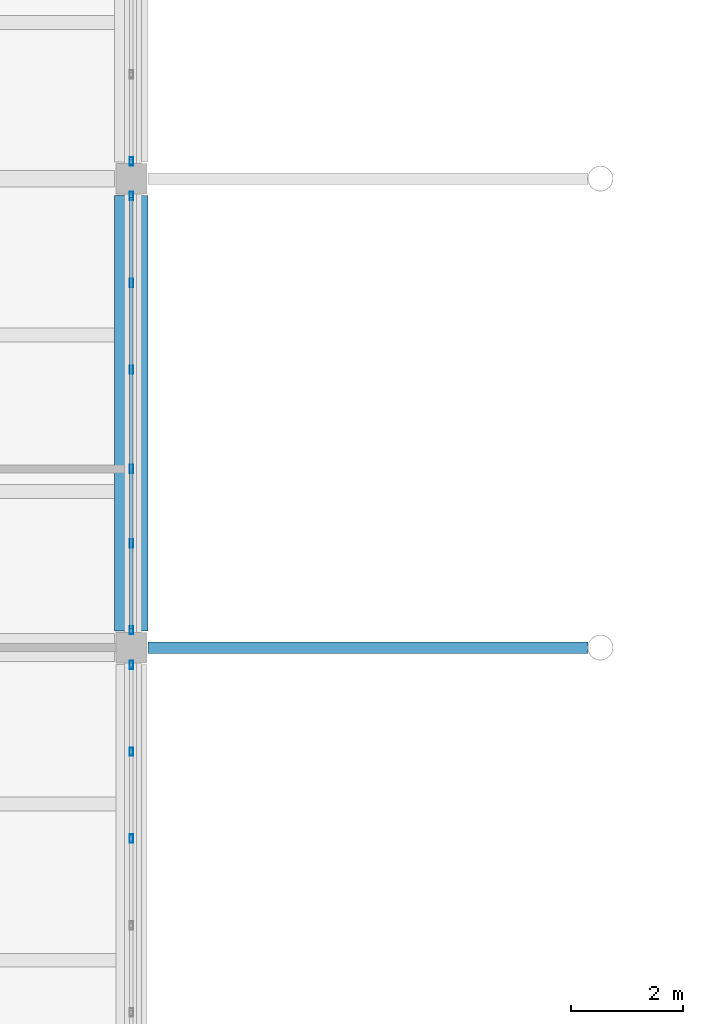
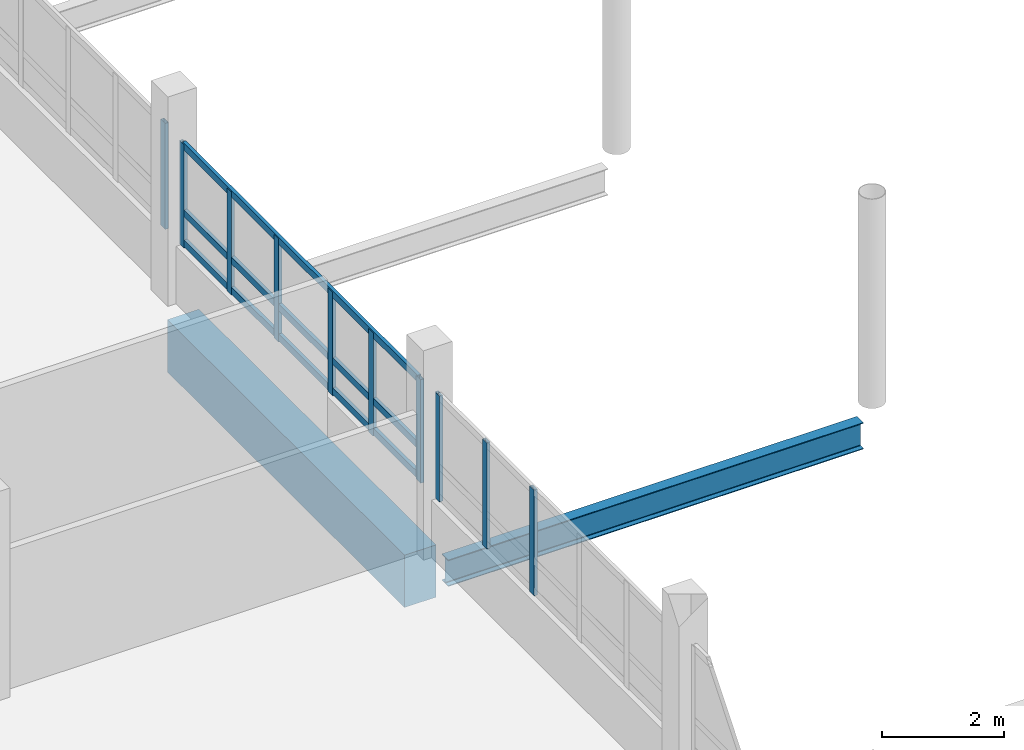
# One storey, part 40 of 130: 13 members, 2 beams, 3 elements without a shape of their own.
"""IFC4 building model written with IfcOpenShell, lengths in metres."""

from ifc_helpers import new_model, si_unit, direction, frame, origin, origin_2d, place, context, subcontext, project, spatial, rectangle, hollow_rectangle, i_section, extrude, material, layer, layer_set, material_profile, profile_set, type_object, element, aggregate, save


model = new_model("IFC4")

# Units and contexts
model_context = context("Model", 3, precision=1e-05, world=origin(), true_north=direction((0.0, 1.0)))
body_context = subcontext(model_context, "Body", "Model", "MODEL_VIEW")
ifc_project = project(units=[si_unit("LENGTHUNIT", "METRE"), si_unit("AREAUNIT", "SQUARE_METRE"), si_unit("VOLUMEUNIT", "CUBIC_METRE"), si_unit("PLANEANGLEUNIT", "RADIAN"), si_unit("MASSUNIT", "GRAM", prefix="KILO")], contexts=[model_context])

# Site, building, storey
site_placement = place(None, origin())
site = spatial("IfcSite", under=ifc_project, at=site_placement, CompositionType="ELEMENT")
building_placement = place(site_placement, origin())
building = spatial("IfcBuilding", under=site, at=building_placement, Name="Vireocrest Preparatory School", CompositionType="ELEMENT")
storey_placement = place(building_placement, frame((0.0, 0.0, 9.0)))
storey = spatial("IfcBuildingStorey", under=building, at=storey_placement, Name="L02", CompositionType="ELEMENT", Elevation=9.0)

# Curtain wall, members
ifc_material_1 = material(Name="Thermally broken aluminium EN AW-6063-T6", Category="aluminium")
ifc_layer = layer(ifc_material_1, 0.179931640625)
ifc_layer_set = layer_set([ifc_layer], Name="Thermally broken aluminium EN AW-6063-T6")
curtain_wall_type = type_object("IfcCurtainWallType", Name="Court Banded Curtain Wall 8400x3000", PredefinedType="USERDEFINED", material=ifc_layer_set)
curtain_wall_1_placement = place(storey_placement, origin())
curtain_wall_1 = element("IfcCurtainWall", 1, at=curtain_wall_1_placement, inside=storey, type_object=curtain_wall_type, Name="Curtain Wall CW02 CW_L02_CW02_0672_0524_102", ObjectType="CURTAIN WALL", PredefinedType="USERDEFINED")
ifc_material_profile_1 = material_profile(ifc_material_1, hollow_rectangle(XDim=0.06494140625, YDim=0.14990234375, WallThickness=0.00390625, at=origin_2d()), Name="ALU 65x150x4")
ifc_profile_set_1 = profile_set([ifc_material_profile_1], Name="Thermally broken aluminium EN AW-6063-T6")
member_type_1 = type_object("IfcMemberType", Name="CW Mullion 65x150x4", PredefinedType="MULLION", material=ifc_profile_set_1)
member_1_placement = place(storey_placement, frame((67.199951171875, 57.177978515625, 1.14990234375), z_axis=(0.0, 0.0, 1.0), x_axis=(1.0, 0.0, 0.0)))
member_1 = element("IfcMember", 2, at=member_1_placement, type_object=member_type_1, Name="CW Mullion ML1 CW_L02_CW02_0672_0524_102-4", PredefinedType="MULLION", context=body_context, shape_type="SweptSolid", body=[
    extrude(hollow_rectangle(XDim=0.06494140625, YDim=0.14990234375, WallThickness=0.00390625, at=origin_2d()), origin(), (0.0, 0.0, 1.0), 2.125),
])
member_2_placement = place(storey_placement, frame((67.199951171875, 58.73388671875, 1.14990234375), z_axis=(0.0, 0.0, 1.0), x_axis=(1.0, 0.0, 0.0)))
member_2 = element("IfcMember", 3, at=member_2_placement, type_object=member_type_1, Name="CW Mullion ML1 CW_L02_CW02_0672_0524_102-5", PredefinedType="MULLION", context=body_context, shape_type="SweptSolid", body=[
    extrude(hollow_rectangle(XDim=0.06494140625, YDim=0.14990234375, WallThickness=0.00390625, at=origin_2d()), origin(), (0.0, 0.0, 1.0), 2.125),
])
member_3_placement = place(storey_placement, frame((67.199951171875, 60.2900390625, 1.14990234375), z_axis=(0.0, 0.0, 1.0), x_axis=(1.0, 0.0, 0.0)))
member_3 = element("IfcMember", 4, at=member_3_placement, type_object=member_type_1, Name="CW Mullion ML1 CW_L02_CW02_0672_0524_102-6", PredefinedType="MULLION", context=body_context, shape_type="SweptSolid", body=[
    extrude(hollow_rectangle(XDim=0.06494140625, YDim=0.14990234375, WallThickness=0.00390625, at=origin_2d()), origin(), (0.0, 0.0, 1.0), 2.125),
])
aggregate(curtain_wall_1, [member_1, member_2, member_3])

curtain_wall_2_placement = place(storey_placement, origin())
curtain_wall_2 = element("IfcCurtainWall", 5, at=curtain_wall_2_placement, inside=storey, type_object=curtain_wall_type, Name="Curtain Wall CW02 CW_L02_CW02_0672_0608_102", ObjectType="CURTAIN WALL", PredefinedType="USERDEFINED")
member_4_placement = place(storey_placement, frame((67.199951171875, 60.909912109375, 1.14990234375), z_axis=(0.0, 0.0, 1.0), x_axis=(1.0, 0.0, 0.0)))
member_4 = element("IfcMember", 6, at=member_4_placement, type_object=member_type_1, Name="CW Mullion ML1 CW_L02_CW02_0672_0608_102-1", PredefinedType="MULLION", context=body_context, shape_type="SweptSolid", body=[
    extrude(hollow_rectangle(XDim=0.06494140625, YDim=0.14990234375, WallThickness=0.00390625, at=origin_2d()), origin(), (0.0, 0.0, 1.0), 2.0751953125),
])
member_5_placement = place(storey_placement, frame((67.199951171875, 62.466064453125, 1.14990234375), z_axis=(0.0, 0.0, 1.0), x_axis=(1.0, 0.0, 0.0)))
member_5 = element("IfcMember", 7, at=member_5_placement, type_object=member_type_1, Name="CW Mullion ML1 CW_L02_CW02_0672_0608_102-2", PredefinedType="MULLION", context=body_context, shape_type="SweptSolid", body=[
    extrude(hollow_rectangle(XDim=0.06494140625, YDim=0.14990234375, WallThickness=0.00390625, at=origin_2d()), origin(), (0.0, 0.0, 1.0), 2.0751953125),
])
member_6_placement = place(storey_placement, frame((67.199951171875, 63.800048828125, 1.14990234375), z_axis=(0.0, 0.0, 1.0), x_axis=(1.0, 0.0, 0.0)))
member_6 = element("IfcMember", 8, at=member_6_placement, type_object=member_type_1, Name="CW Mullion ML1 CW_L02_CW02_0672_0608_102-3", PredefinedType="MULLION", context=body_context, shape_type="SweptSolid", body=[
    extrude(hollow_rectangle(XDim=0.06494140625, YDim=0.14990234375, WallThickness=0.00390625, at=origin_2d()), origin(), (0.0, 0.0, 1.0), 2.0751953125),
])
member_7_placement = place(storey_placement, frame((67.199951171875, 65.577880859375, 1.14990234375), z_axis=(0.0, 0.0, 1.0), x_axis=(1.0, 0.0, 0.0)))
member_7 = element("IfcMember", 9, at=member_7_placement, type_object=member_type_1, Name="CW Mullion ML1 CW_L02_CW02_0672_0608_102-4", PredefinedType="MULLION", context=body_context, shape_type="SweptSolid", body=[
    extrude(hollow_rectangle(XDim=0.06494140625, YDim=0.14990234375, WallThickness=0.00390625, at=origin_2d()), origin(), (0.0, 0.0, 1.0), 2.0751953125),
])
member_8_placement = place(storey_placement, frame((67.199951171875, 67.134033203125, 1.14990234375), z_axis=(0.0, 0.0, 1.0), x_axis=(1.0, 0.0, 0.0)))
member_8 = element("IfcMember", 10, at=member_8_placement, type_object=member_type_1, Name="CW Mullion ML1 CW_L02_CW02_0672_0608_102-5", PredefinedType="MULLION", context=body_context, shape_type="SweptSolid", body=[
    extrude(hollow_rectangle(XDim=0.06494140625, YDim=0.14990234375, WallThickness=0.00390625, at=origin_2d()), origin(), (0.0, 0.0, 1.0), 2.0751953125),
])
member_9_placement = place(storey_placement, frame((67.199951171875, 68.68994140625, 1.14990234375), z_axis=(0.0, 0.0, 1.0), x_axis=(1.0, 0.0, 0.0)))
member_9 = element("IfcMember", 11, at=member_9_placement, type_object=member_type_1, Name="CW Mullion ML1 CW_L02_CW02_0672_0608_102-6", PredefinedType="MULLION", context=body_context, shape_type="SweptSolid", body=[
    extrude(hollow_rectangle(XDim=0.06494140625, YDim=0.14990234375, WallThickness=0.00390625, at=origin_2d()), origin(), (0.0, 0.0, 1.0), 2.0751953125),
])

# Curtain wall, member
curtain_wall_3_placement = place(storey_placement, origin())
curtain_wall_3 = element("IfcCurtainWall", 12, at=curtain_wall_3_placement, inside=storey, type_object=curtain_wall_type, Name="Curtain Wall CW02 CW_L02_CW02_0672_0692_102", ObjectType="CURTAIN WALL", PredefinedType="USERDEFINED")
member_10_placement = place(storey_placement, frame((67.199951171875, 69.31005859375, 1.14990234375), z_axis=(0.0, 0.0, 1.0), x_axis=(1.0, 0.0, 0.0)))
member_10 = element("IfcMember", 13, at=member_10_placement, type_object=member_type_1, Name="CW Mullion ML1 CW_L02_CW02_0672_0692_102-1", PredefinedType="MULLION", context=body_context, shape_type="SweptSolid", body=[
    extrude(hollow_rectangle(XDim=0.06494140625, YDim=0.14990234375, WallThickness=0.00390625, at=origin_2d()), origin(), (0.0, 0.0, 1.0), 2.125),
])
aggregate(curtain_wall_3, [member_10])

# Member
ifc_material_profile_2 = material_profile(ifc_material_1, hollow_rectangle(XDim=0.06494140625, YDim=0.139892578125, WallThickness=0.00390625, at=origin_2d()), Name="ALU 65x140x4")
ifc_profile_set_2 = profile_set([ifc_material_profile_2], Name="Thermally broken aluminium EN AW-6063-T6")
member_type_2 = type_object("IfcMemberType", Name="CW Transom 65x140x4", PredefinedType="USERDEFINED", material=ifc_profile_set_2)
member_11_placement = place(storey_placement, frame((67.199951171875, 60.93505859375, 1.2451171875), z_axis=(0.0, 1.0, 0.0), x_axis=(-1.0, 0.0, 0.0)))
member_11 = element("IfcMember", 14, at=member_11_placement, type_object=member_type_2, Name="CW Transom TR1 CW_L02_CW02_0672_0608_102-1", ObjectType="TRANSOM", PredefinedType="USERDEFINED", context=body_context, shape_type="SweptSolid", body=[
    extrude(hollow_rectangle(XDim=0.06494140625, YDim=0.139892578125, WallThickness=0.00390625, at=origin_2d()), origin(), (0.0, 0.0, 1.0), 7.72998046875),
])

member_12_placement = place(storey_placement, frame((67.199951171875, 60.93505859375, 1.85009765625), z_axis=(0.0, 1.0, 0.0), x_axis=(-1.0, 0.0, 0.0)))
member_12 = element("IfcMember", 15, at=member_12_placement, type_object=member_type_2, Name="CW Transom TR1 CW_L02_CW02_0672_0608_102-2", ObjectType="TRANSOM", PredefinedType="USERDEFINED", context=body_context, shape_type="SweptSolid", body=[
    extrude(hollow_rectangle(XDim=0.06494140625, YDim=0.139892578125, WallThickness=0.00390625, at=origin_2d()), origin(), (0.0, 0.0, 1.0), 7.72998046875),
])

member_13_placement = place(storey_placement, frame((67.199951171875, 60.93505859375, 3.18505859375), z_axis=(0.0, 1.0, 0.0), x_axis=(-1.0, 0.0, 0.0)))
member_13 = element("IfcMember", 16, at=member_13_placement, type_object=member_type_2, Name="CW Transom TR1 CW_L02_CW02_0672_0608_102-3", ObjectType="TRANSOM", PredefinedType="USERDEFINED", context=body_context, shape_type="SweptSolid", body=[
    extrude(hollow_rectangle(XDim=0.06494140625, YDim=0.139892578125, WallThickness=0.00390625, at=origin_2d()), origin(), (0.0, 0.0, 1.0), 7.72998046875),
])

aggregate(curtain_wall_2, [member_4, member_5, member_6, member_7, member_8, member_9, member_11, member_12, member_13])

# Beams
ifc_material_2 = material(Name="Structural steel ASTM A992 Grade 50", Category="steel")
ifc_material_profile_3 = material_profile(ifc_material_2, i_section(OverallWidth=0.208984375, OverallDepth=0.532958984375, WebThickness=0.01025390625, FlangeThickness=0.015625, FilletRadius=0.014892578125, at=origin_2d()), Name="W21X62")
ifc_profile_set_3 = profile_set([ifc_material_profile_3], Name="Structural steel ASTM A992 Grade 50")
beam_type_1 = type_object("IfcBeamType", Name="Court Tie Girder W21X62", PredefinedType="BEAM", material=ifc_profile_set_3)
beam_1_placement = place(storey_placement, frame((67.4951171875, 60.60009765625, -0.56640625), z_axis=(1.0, 0.0, 0.0), x_axis=(0.0, 1.0, 0.0)))
element("IfcBeam", 17, at=beam_1_placement, inside=storey, type_object=beam_type_1, Name="Court Trunk Lateral Tie Girder SB5 W5 L02", PredefinedType="BEAM", context=body_context, shape_type="SweptSolid", body=[
    extrude(i_section(OverallWidth=0.208984375, OverallDepth=0.532958984375, WebThickness=0.01025390625, FlangeThickness=0.015625, FilletRadius=0.014892578125, at=origin_2d()), origin(), (0.0, 0.0, 1.0), 7.88134765625),
])
ifc_material_3 = material(Name="Concrete 40 MPa", Category="concrete")
ifc_material_profile_4 = material_profile(ifc_material_3, rectangle(XDim=0.60009765625, YDim=1.050048828125, at=origin_2d()), Name="RC 600x1050")
ifc_profile_set_4 = profile_set([ifc_material_profile_4], Name="Concrete 40 MPa")
beam_type_2 = type_object("IfcBeamType", Name="RC Transfer Girder 600x1050", PredefinedType="BEAM", material=ifc_profile_set_4)
beam_2_placement = place(storey_placement, frame((67.199951171875, 60.89990234375, -0.764892578125), z_axis=(0.0, 1.0, 0.0), x_axis=(-1.0, 0.0, 0.0)))
element("IfcBeam", 18, at=beam_2_placement, inside=storey, type_object=beam_type_2, Name="Primary Girder B19 L02-0822", PredefinedType="BEAM", context=body_context, shape_type="SweptSolid", body=[
    extrude(rectangle(XDim=0.60009765625, YDim=1.050048828125, at=origin_2d()), origin(), (0.0, 0.0, 1.0), 7.800048828125),
])

save(model, "model.ifc")
